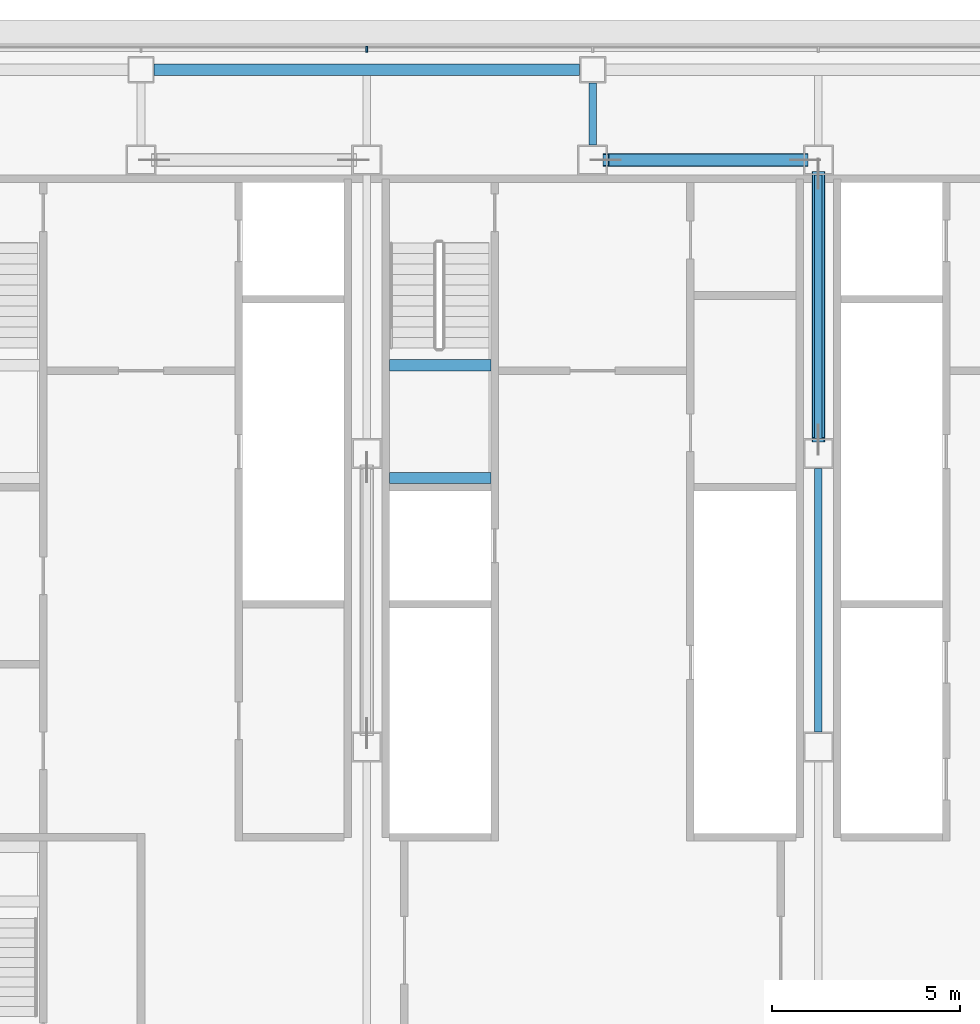
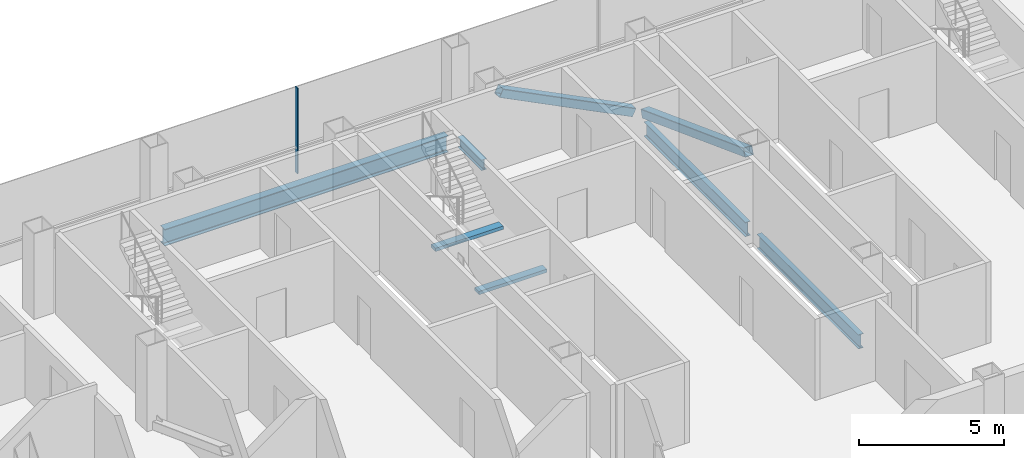
# One storey, part 13 of 27: 6 beams, 3 members, 1 element without a shape of its own.
"""IFC4 building model written with IfcOpenShell, lengths in metres."""

from ifc_helpers import new_model, si_unit, direction, frame, origin, origin_2d, place, context, subcontext, project, spatial, rectangle, hollow_rectangle, i_section, extrude, material, material_profile, profile_set, type_object, element, aggregate, save


model = new_model("IFC4")

# Units and contexts
model_context = context("Model", 3, precision=1e-05, world=origin(), true_north=direction((0.0, 1.0)))
body_context = subcontext(model_context, "Body", "Model", "MODEL_VIEW")
ifc_project = project(units=[si_unit("LENGTHUNIT", "METRE"), si_unit("AREAUNIT", "SQUARE_METRE"), si_unit("VOLUMEUNIT", "CUBIC_METRE"), si_unit("PLANEANGLEUNIT", "RADIAN"), si_unit("MASSUNIT", "GRAM", prefix="KILO")], contexts=[model_context])

# Site, building, storey
site_placement = place(None, origin())
site = spatial("IfcSite", under=ifc_project, at=site_placement, CompositionType="ELEMENT")
building_placement = place(site_placement, origin())
building = spatial("IfcBuilding", under=site, at=building_placement, Name="Sorahane Residences", CompositionType="ELEMENT")
storey_placement = place(building_placement, frame((0.0, 0.0, 195.60009765625)))
storey = spatial("IfcBuildingStorey", under=building, at=storey_placement, Name="L45", CompositionType="ELEMENT", Elevation=195.60009765625)

# Members
ifc_material_1 = material(Name="Steel Q355B", Category="steel")
ifc_material_profile_1 = material_profile(ifc_material_1, hollow_rectangle(XDim=0.35009765625, YDim=0.35009765625, WallThickness=0.01806640625, InnerFilletRadius=0.009033203125, OuterFilletRadius=0.027099609375, at=origin_2d()), Name="RHS 350x350x18")
ifc_profile_set_1 = profile_set([ifc_material_profile_1], Name="Steel Q355B")
member_type_1 = type_object("IfcMemberType", Name="Core brace RHS 350x350x18 Q355B", PredefinedType="BRACE", material=ifc_profile_set_1)
member_1_placement = place(storey_placement, frame((29.647216796875, 45.60009765625, 0.151123046875), z_axis=(-0.893055794866, 0.0, 0.449945938149), x_axis=(0.0, -1.0, 0.0)))
element("IfcMember", 1, at=member_1_placement, inside=storey, type_object=member_type_1, Name="Core brace L45 y45.6-4", PredefinedType="BRACE", context=body_context, shape_type="SweptSolid", body=[
    extrude(hollow_rectangle(XDim=0.35009765625, YDim=0.35009765625, WallThickness=0.01806640625, InnerFilletRadius=0.009033203125, OuterFilletRadius=0.027099609375, at=origin_2d()), origin(), (0.0, 0.0, 1.0), 5.928466796875),
])
member_2_placement = place(storey_placement, frame((30.0, 45.23681640625, 0.1611328125), z_axis=(0.0, -0.936554808937, 0.350521168914), x_axis=(1.0, 0.0, 0.0)))
element("IfcMember", 2, at=member_2_placement, inside=storey, type_object=member_type_1, Name="Core brace L45 x30-2", PredefinedType="BRACE", context=body_context, shape_type="SweptSolid", body=[
    extrude(hollow_rectangle(XDim=0.35009765625, YDim=0.35009765625, WallThickness=0.01806640625, InnerFilletRadius=0.009033203125, OuterFilletRadius=0.027099609375, at=origin_2d()), origin(), (0.0, 0.0, 1.0), 7.552978515625),
])

# Curtain wall, member
ifc_material_2 = material(Name="Dark low-e glass and black anodised aluminium", Category="aluminium")
curtain_wall_type = type_object("IfcCurtainWallType", Name="Curtain wall CW-1 Typical unitised wall", PredefinedType="NOTDEFINED", material=ifc_material_2)
curtain_wall_placement = place(storey_placement, origin())
curtain_wall = element("IfcCurtainWall", 3, at=curtain_wall_placement, inside=storey, type_object=curtain_wall_type, Name="CW-1 curtain wall L45 N1", PredefinedType="NOTDEFINED")
ifc_material_3 = material(Name="Black anodised aluminium", Category="aluminium")
ifc_material_profile_2 = material_profile(ifc_material_3, rectangle(XDim=0.159912109375, YDim=0.050048828125, at=origin_2d()), Name="Curtain wall mullion CW-1 black anodised aluminium 50x160")
ifc_profile_set_2 = profile_set([ifc_material_profile_2], Name="Black anodised aluminium")
member_type_2 = type_object("IfcMemberType", Name="Curtain wall mullion CW-1 black anodised aluminium 50x160", PredefinedType="MULLION", material=ifc_profile_set_2)
member_3_placement = place(storey_placement, frame((18.0, 48.5400390625, -0.18017578125), z_axis=(0.0, 0.0, 1.0), x_axis=(0.0, 1.0, 0.0)))
member_3 = element("IfcMember", 4, at=member_3_placement, type_object=member_type_2, Name="CW-1 mullion L45 N1.6", PredefinedType="MULLION", context=body_context, shape_type="SweptSolid", body=[
    extrude(rectangle(XDim=0.159912109375, YDim=0.050048828125, at=origin_2d()), origin(), (0.0, 0.0, 1.0), 3.60009765625),
])
aggregate(curtain_wall, [member_3])

# Beams
ifc_material_4 = material(Name="Concrete C40", Category="concrete")
ifc_material_profile_3 = material_profile(ifc_material_4, rectangle(XDim=0.300048828125, YDim=0.139892578125, at=origin_2d()), Name="300x140")
ifc_profile_set_3 = profile_set([ifc_material_profile_3], Name="Concrete C40")
beam_type_1 = type_object("IfcBeamType", Name="RC landing beam 300 x 140 Concrete C40", PredefinedType="BEAM", material=ifc_profile_set_3)
for number, where, z_axis, x_axis, name in (
    (5, (18.60009765625, 37.14990234375, 1.52978515625), (1.0, 0.0, 0.0), (0.0, 1.0, 0.0), "Landing beam"),
    (6, (18.60009765625, 40.14990234375, 1.52978515625), (1.0, 0.0, 0.0), (0.0, 1.0, 0.0), "Landing beam"),
):
    element("IfcBeam", number, at=place(storey_placement, frame(where, z_axis=z_axis, x_axis=x_axis)), inside=storey, type_object=beam_type_1, Name=name, PredefinedType="BEAM", context=body_context, shape_type="SweptSolid", body=[
        extrude(rectangle(XDim=0.300048828125, YDim=0.139892578125, at=origin_2d()), origin(), (0.0, 0.0, 1.0), 2.699951171875),
    ])
ifc_material_5 = material(Name="Steel Q355B", Category="steel")
ifc_material_profile_4 = material_profile(ifc_material_5, i_section(OverallWidth=0.199951171875, OverallDepth=0.449951171875, WebThickness=0.009033203125, FlangeThickness=0.013916015625, FilletRadius=0.02001953125, at=origin_2d()), Name="HN 450x200x9x14")
ifc_profile_set_4 = profile_set([ifc_material_profile_4], Name="Steel Q355B")
beam_type_2 = type_object("IfcBeamType", Name="Steel floor beam HN 450x200x9x14 Q355B", PredefinedType="BEAM", material=ifc_profile_set_4)
beam_1_placement = place(storey_placement, frame((24.0, 46.0, -0.405029296875), z_axis=(0.0, 1.0, 0.0), x_axis=(-1.0, 0.0, 0.0)))
element("IfcBeam", 7, at=beam_1_placement, inside=storey, type_object=beam_type_2, Name="Beam L45 043", PredefinedType="BEAM", context=body_context, shape_type="SweptSolid", body=[
    extrude(i_section(OverallWidth=0.199951171875, OverallDepth=0.449951171875, WebThickness=0.009033203125, FlangeThickness=0.013916015625, FilletRadius=0.02001953125, at=origin_2d()), origin(), (0.0, 0.0, 1.0), 1.64990234375),
])
ifc_material_6 = material(Name="Steel Q355B", Category="steel")
ifc_material_profile_5 = material_profile(ifc_material_6, i_section(OverallWidth=0.199951171875, OverallDepth=0.60009765625, WebThickness=0.010986328125, FlangeThickness=0.01708984375, FilletRadius=0.02392578125, at=origin_2d()), Name="HN 600x200x11x17")
ifc_profile_set_5 = profile_set([ifc_material_profile_5], Name="Steel Q355B")
beam_type_3 = type_object("IfcBeamType", Name="Steel floor beam HN 600x200x11x17 Q355B", PredefinedType="BEAM", material=ifc_profile_set_5)
for number, where, z_axis, x_axis, name in (
    (8, (30.0, 30.39990234375, -0.47998046875), (0.0, 1.0, 0.0), (-1.0, 0.0, 0.0), "Beam L45 047"),
    (9, (30.0, 38.199951171875, -0.47998046875), (0.0, 1.0, 0.0), (-1.0, 0.0, 0.0), "Beam L45 048"),
):
    element("IfcBeam", number, at=place(storey_placement, frame(where, z_axis=z_axis, x_axis=x_axis)), inside=storey, type_object=beam_type_3, Name=name, PredefinedType="BEAM", context=body_context, shape_type="SweptSolid", body=[
        extrude(i_section(OverallWidth=0.199951171875, OverallDepth=0.60009765625, WebThickness=0.010986328125, FlangeThickness=0.01708984375, FilletRadius=0.02392578125, at=origin_2d()), origin(), (0.0, 0.0, 1.0), 7.0),
    ])
ifc_material_7 = material(Name="Steel Q355B", Category="steel")
ifc_material_profile_6 = material_profile(ifc_material_7, i_section(OverallWidth=0.300048828125, OverallDepth=0.699951171875, WebThickness=0.012939453125, FlangeThickness=0.02392578125, FilletRadius=0.028076171875, at=origin_2d()), Name="HN 700x300x13x24")
ifc_profile_set_6 = profile_set([ifc_material_profile_6], Name="Steel Q355B")
beam_type_4 = type_object("IfcBeamType", Name="Steel floor beam HN 700x300x13x24 Q355B", PredefinedType="BEAM", material=ifc_profile_set_6)
beam_2_placement = place(storey_placement, frame((12.35009765625, 48.0, -0.530029296875), z_axis=(1.0, 0.0, 0.0), x_axis=(0.0, 1.0, 0.0)))
element("IfcBeam", 10, at=beam_2_placement, inside=storey, type_object=beam_type_4, Name="Beam L45 017", PredefinedType="BEAM", context=body_context, shape_type="SweptSolid", body=[
    extrude(i_section(OverallWidth=0.300048828125, OverallDepth=0.699951171875, WebThickness=0.012939453125, FlangeThickness=0.02392578125, FilletRadius=0.028076171875, at=origin_2d()), origin(), (0.0, 0.0, 1.0), 11.2998046875),
])

save(model, "model.ifc")
